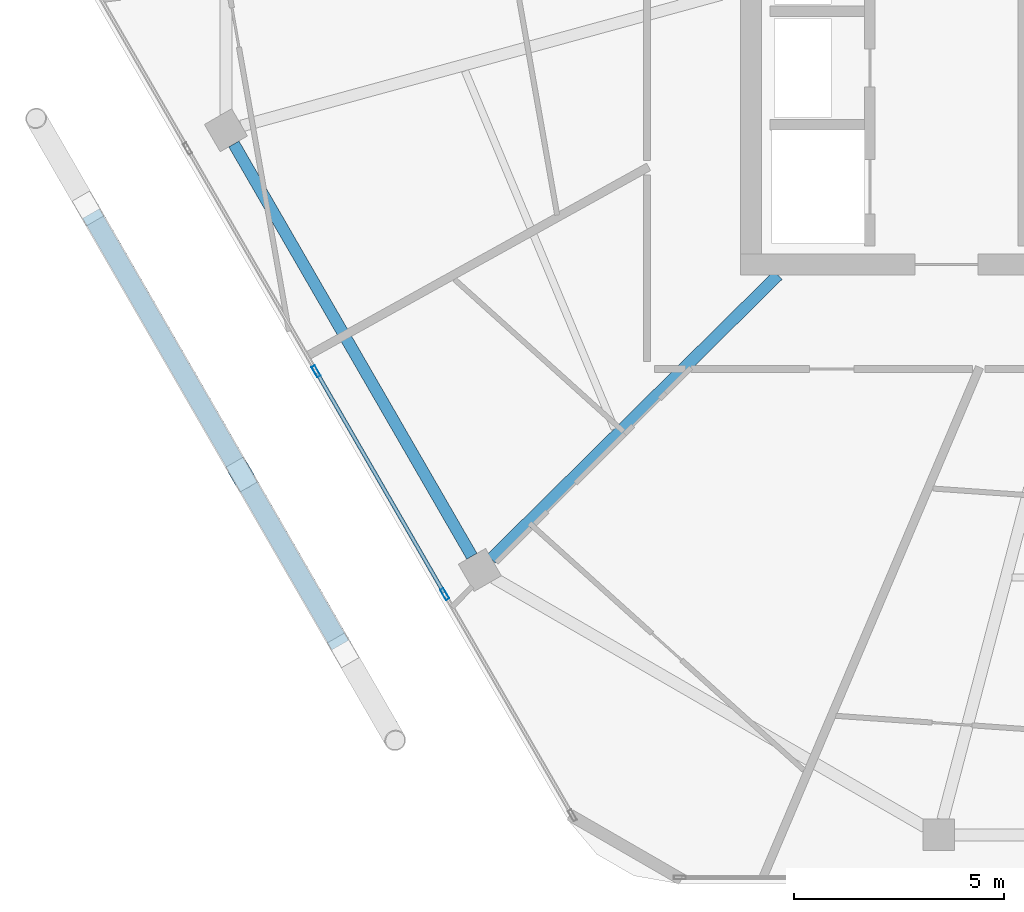
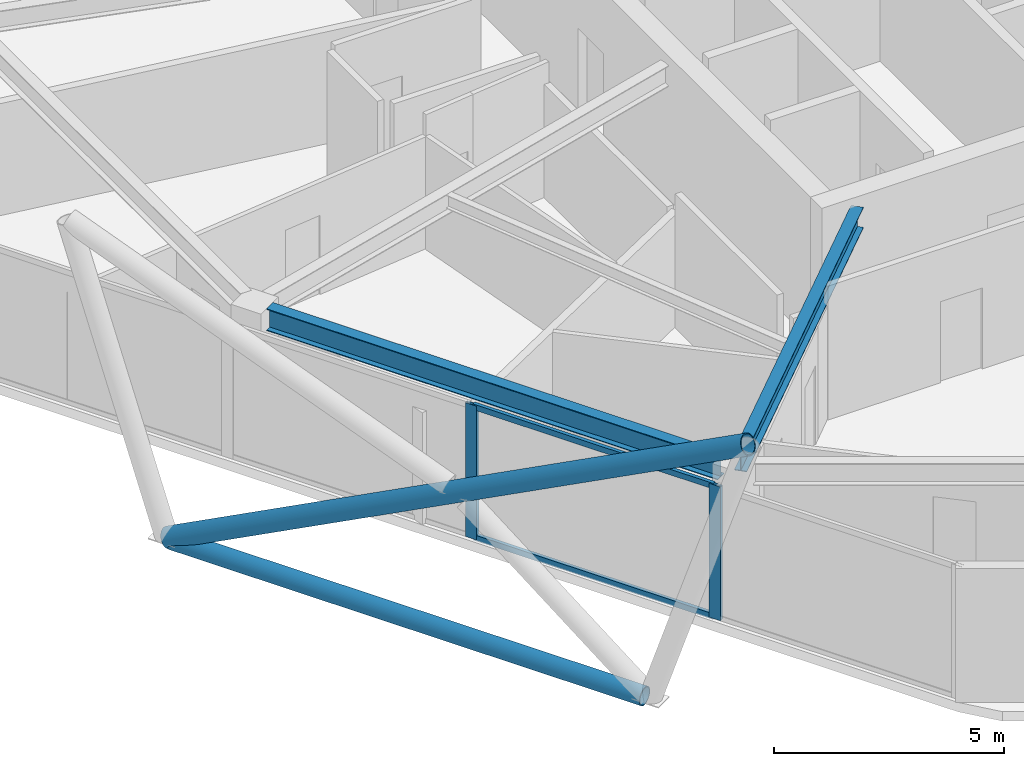
# One storey, part 3 of 24: 6 members, 2 beams, 1 element without a shape of its own.
"""IFC4 building model written with IfcOpenShell, lengths in metres."""

from ifc_helpers import new_model, si_unit, direction, frame, origin, origin_2d, place, context, subcontext, project, spatial, hollow_rectangle, hollow_circle, i_section, extrude, material, material_profile, profile_set, type_object, element, aggregate, save


model = new_model("IFC4")

# Units and contexts
model_context = context("Model", 3, precision=1e-05, world=origin(), true_north=direction((0.0, 1.0)))
body_context = subcontext(model_context, "Body", "Model", "MODEL_VIEW")
ifc_project = project(units=[si_unit("LENGTHUNIT", "METRE"), si_unit("AREAUNIT", "SQUARE_METRE"), si_unit("VOLUMEUNIT", "CUBIC_METRE"), si_unit("PLANEANGLEUNIT", "RADIAN"), si_unit("MASSUNIT", "GRAM", prefix="KILO")], contexts=[model_context])

# Site, building, storey
site_placement = place(None, origin())
site = spatial("IfcSite", under=ifc_project, at=site_placement, CompositionType="ELEMENT")
building_placement = place(site_placement, origin())
building = spatial("IfcBuilding", under=site, at=building_placement, Name="Zuhravey Tower", CompositionType="ELEMENT")
storey_placement = place(building_placement, frame((0.0, 0.0, 338.60009765625)))
storey = spatial("IfcBuildingStorey", under=building, at=storey_placement, Name="L86", CompositionType="ELEMENT", Elevation=338.60009765625)

# Curtain wall, members
ifc_material_1 = material(Name="Thermally broken anodised aluminium", Category="aluminium")
curtain_wall_type = type_object("IfcCurtainWallType", Name="Zone 3-4 High-Rise Curtain Wall CW4", PredefinedType="NOTDEFINED", material=ifc_material_1)
curtain_wall_placement = place(storey_placement, origin())
curtain_wall = element("IfcCurtainWall", 1, at=curtain_wall_placement, inside=storey, type_object=curtain_wall_type, Name="L86 CW4 CW-L86-F4-1", PredefinedType="NOTDEFINED")
ifc_material_2 = material(Name="Anodised aluminium", Category="aluminium")
ifc_material_profile_1 = material_profile(ifc_material_2, hollow_rectangle(XDim=0.090087890625, YDim=0.284912109375, WallThickness=0.0048828125, at=origin_2d()), Name="ALU-RHS-90x285x5")
ifc_profile_set_1 = profile_set([ifc_material_profile_1], Name="Anodised aluminium")
member_type_1 = type_object("IfcMemberType", Name="Curtain-Wall Mullion 90x180", PredefinedType="MULLION", material=ifc_profile_set_1)
member_1_placement = place(storey_placement, frame((18.211181640625, 14.6630859375, 0.0), z_axis=(0.0, 0.0, 1.0), x_axis=(-0.866025511541, -0.49999981336, 0.0)))
member_1 = element("IfcMember", 2, at=member_1_placement, type_object=member_type_1, Name="CW4 mullion 2", PredefinedType="MULLION", context=body_context, shape_type="SweptSolid", body=[
    extrude(hollow_rectangle(XDim=0.090087890625, YDim=0.284912109375, WallThickness=0.0048828125, at=origin_2d()), origin(), (0.0, 0.0, 1.0), 3.5498046875),
])
member_2_placement = place(storey_placement, frame((15.1513671875, 19.962890625, 0.0), z_axis=(0.0, 0.0, 1.0), x_axis=(-0.866025511541, -0.49999981336, 0.0)))
member_2 = element("IfcMember", 3, at=member_2_placement, type_object=member_type_1, Name="CW4 mullion 3", PredefinedType="MULLION", context=body_context, shape_type="SweptSolid", body=[
    extrude(hollow_rectangle(XDim=0.090087890625, YDim=0.284912109375, WallThickness=0.0048828125, at=origin_2d()), origin(), (0.0, 0.0, 1.0), 3.5498046875),
])
ifc_material_profile_2 = material_profile(ifc_material_2, hollow_rectangle(XDim=0.090087890625, YDim=0.14990234375, WallThickness=0.0048828125, at=origin_2d()), Name="ALU-RHS-90x150x5")
ifc_profile_set_2 = profile_set([ifc_material_profile_2], Name="Anodised aluminium")
member_type_2 = type_object("IfcMemberType", Name="Curtain-Wall Transom 90x150", PredefinedType="USERDEFINED", material=ifc_profile_set_2)
member_3_placement = place(storey_placement, frame((18.1884765625, 14.7021484375, 0.044921875), z_axis=(-0.499971305196, 0.866041970103, 0.0), x_axis=(-0.866041970103, -0.499971305196, 0.0)))
member_3 = element("IfcMember", 4, at=member_3_placement, type_object=member_type_2, Name="CW4 transom 2.1", ObjectType="TRANSOM", PredefinedType="USERDEFINED", context=body_context, shape_type="SweptSolid", body=[
    extrude(hollow_rectangle(XDim=0.090087890625, YDim=0.14990234375, WallThickness=0.0048828125, at=origin_2d()), origin(), (0.0, 0.0, 1.0), 6.029541015625),
])
member_4_placement = place(storey_placement, frame((18.1884765625, 14.7021484375, 3.5048828125), z_axis=(-0.499971305196, 0.866041970103, 0.0), x_axis=(-0.866041970103, -0.499971305196, 0.0)))
member_4 = element("IfcMember", 5, at=member_4_placement, type_object=member_type_2, Name="CW4 transom 2.2", ObjectType="TRANSOM", PredefinedType="USERDEFINED", context=body_context, shape_type="SweptSolid", body=[
    extrude(hollow_rectangle(XDim=0.090087890625, YDim=0.14990234375, WallThickness=0.0048828125, at=origin_2d()), origin(), (0.0, 0.0, 1.0), 6.029541015625),
])
aggregate(curtain_wall, [member_1, member_2, member_3, member_4])

# Members
ifc_material_3 = material(Name="Steel SM355", Category="steel")
ifc_material_profile_3 = material_profile(ifc_material_3, hollow_circle(Radius=0.228515625, WallThickness=0.02197265625, at=origin_2d()), Name="CHS-457.2x22")
ifc_profile_set_3 = profile_set([ifc_material_profile_3], Name="Steel SM355")
member_type_3 = type_object("IfcMemberType", Name="Exoskeleton Ring Tie CHS457x22", PredefinedType="CHORD", material=ifc_profile_set_3)
member_5_placement = place(storey_placement, frame((9.79736328125, 23.71630859375, -0.464111328125), z_axis=(0.499988670204, -0.866031944946, 0.0), x_axis=(0.866031944946, 0.499988670204, 0.0)))
element("IfcMember", 6, at=member_5_placement, inside=storey, type_object=member_type_3, Name="L86 Exoskeleton Face 4 Tie EXR1", PredefinedType="CHORD", context=body_context, shape_type="SweptSolid", body=[
    extrude(hollow_circle(Radius=0.228515625, WallThickness=0.02197265625, at=origin_2d()), origin(), (0.0, 0.0, 1.0), 11.854736328125),
])
ifc_material_profile_4 = material_profile(ifc_material_3, hollow_circle(Radius=0.25390625, WallThickness=0.02490234375, at=origin_2d()), Name="CHS-508.0x25")
ifc_profile_set_4 = profile_set([ifc_material_profile_4], Name="Steel SM355")
member_type_4 = type_object("IfcMemberType", Name="Exoskeleton Zone 4 Diagrid CHS508x25", PredefinedType="BRACE", material=ifc_profile_set_4)
member_6_placement = place(storey_placement, frame((9.74267578125, 23.810791015625, -0.447998046875), z_axis=(0.443629078053, -0.768366753739, 0.461308760869), x_axis=(0.866019388108, 0.500010419312, 0.0)))
element("IfcMember", 7, at=member_6_placement, inside=storey, type_object=member_type_4, Name="L86 Face 4 Diagrid Brace 2", PredefinedType="BRACE", context=body_context, shape_type="SweptSolid", body=[
    extrude(hollow_circle(Radius=0.25390625, WallThickness=0.02490234375, at=origin_2d()), origin(), (0.0, 0.0, 1.0), 16.4052734375),
])

# Beams
ifc_material_profile_5 = material_profile(ifc_material_3, i_section(OverallWidth=0.280029296875, OverallDepth=0.580078125, WebThickness=0.011962890625, FlangeThickness=0.01904296875, at=origin_2d()), Name="H-580x280x12x19")
ifc_profile_set_5 = profile_set([ifc_material_profile_5], Name="Steel SM355")
beam_type_1 = type_object("IfcBeamType", Name="Perimeter Ring Beam H580x280", PredefinedType="BEAM", material=ifc_profile_set_5)
beam_1_placement = place(storey_placement, frame((13.195556640625, 25.370361328125, 3.260009765625), z_axis=(0.499993743963, -0.866029015679, 0.0), x_axis=(0.866029015679, 0.499993743963, 0.0)))
element("IfcBeam", 8, at=beam_1_placement, inside=storey, type_object=beam_type_1, Name="L86 PB4 BM-L86-PB-07", PredefinedType="BEAM", context=body_context, shape_type="SweptSolid", body=[
    extrude(i_section(OverallWidth=0.280029296875, OverallDepth=0.580078125, WebThickness=0.011962890625, FlangeThickness=0.01904296875, at=origin_2d()), origin(), (0.0, 0.0, 1.0), 11.321533203125),
])
ifc_material_profile_6 = material_profile(ifc_material_3, i_section(OverallWidth=0.280029296875, OverallDepth=0.550048828125, WebThickness=0.010986328125, FlangeThickness=0.01806640625, at=origin_2d()), Name="H-550x280x11x18")
ifc_profile_set_6 = profile_set([ifc_material_profile_6], Name="Steel SM355")
beam_type_2 = type_object("IfcBeamType", Name="Radial Primary Girder H550x280", PredefinedType="BEAM", material=ifc_profile_set_6)
beam_2_placement = place(storey_placement, frame((26.134765625, 22.2470703125, 3.27490234375), z_axis=(-0.711142578304, -0.703047817238, 0.0), x_axis=(0.703047817238, -0.711142578304, 0.0)))
element("IfcBeam", 9, at=beam_2_placement, inside=storey, type_object=beam_type_2, Name="L86 RG4 BM-L86-RAD-08", PredefinedType="BEAM", context=body_context, shape_type="SweptSolid", body=[
    extrude(i_section(OverallWidth=0.280029296875, OverallDepth=0.550048828125, WebThickness=0.010986328125, FlangeThickness=0.01806640625, at=origin_2d()), origin(), (0.0, 0.0, 1.0), 9.591064453125),
])

save(model, "model.ifc")
